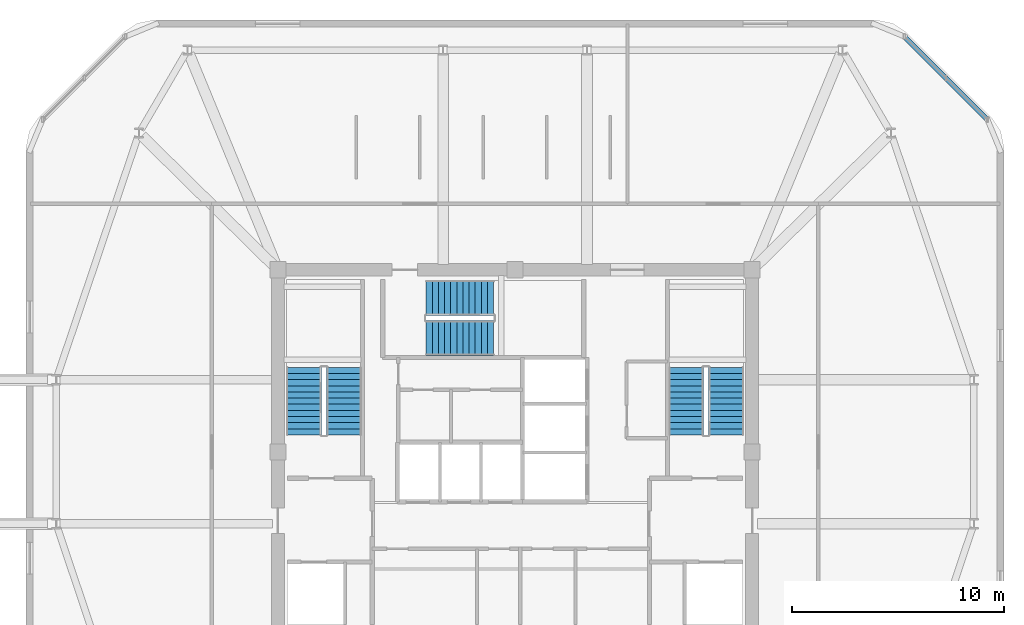
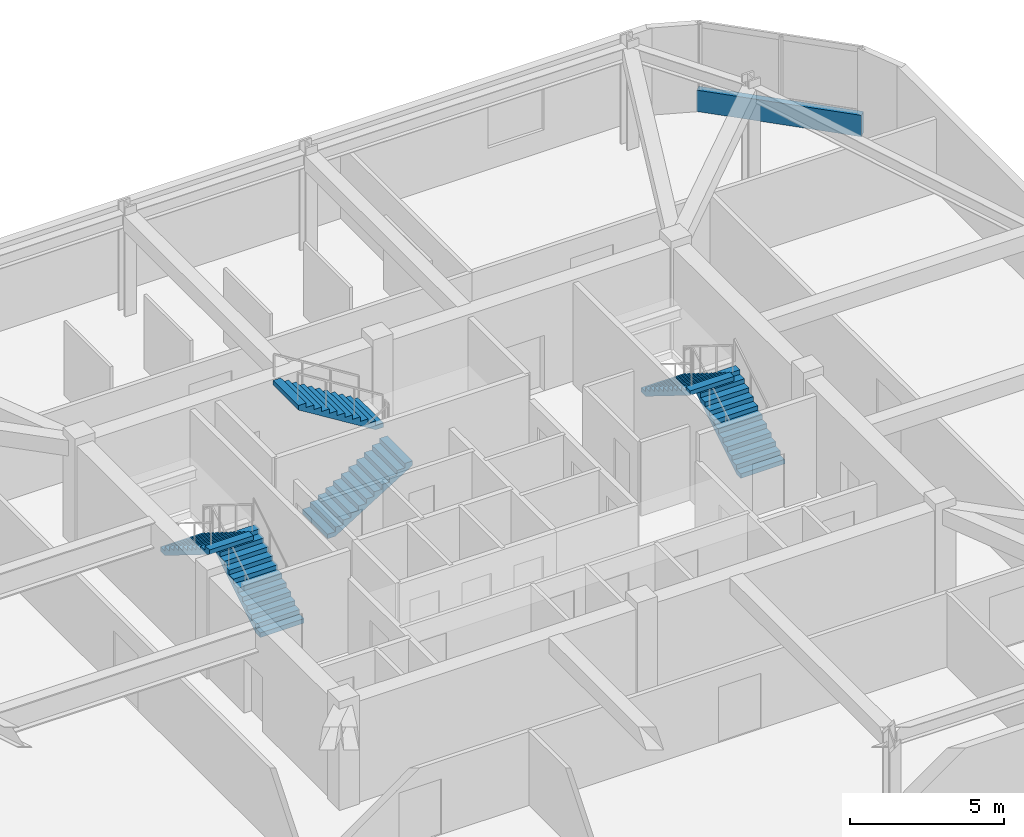
# One storey, part 8 of 9: 6 stair flights, 1 wall, 3 elements without a shape of their own.
"""IFC4 building model written with IfcOpenShell, lengths in metres."""

from ifc_helpers import new_model, si_unit, derived_unit, direction, frame, frame_2d, origin, place, context, subcontext, project, spatial, polyline, rectangle, outline, extrude, material, layer, layer_set, type_object, element, aggregate, save


model = new_model("IFC4")

# Units and contexts
model_context = context("Model", 3, precision=1e-05, world=origin(), true_north=direction((0.0, 1.0)))
body_context = subcontext(model_context, "Body", "Model", "MODEL_VIEW")
ifc_project = project(units=[si_unit("LENGTHUNIT", "METRE"), si_unit("AREAUNIT", "SQUARE_METRE"), si_unit("VOLUMEUNIT", "CUBIC_METRE"), si_unit("PLANEANGLEUNIT", "RADIAN"), si_unit("MASSUNIT", "GRAM", prefix="KILO"), derived_unit("THERMALTRANSMITTANCEUNIT", [(si_unit("POWERUNIT", "WATT"), 1), (si_unit("LENGTHUNIT", "METRE"), -2), (si_unit("THERMODYNAMICTEMPERATUREUNIT", "KELVIN"), -1)])], contexts=[model_context])

# Site, building, storey
site_placement = place(None, origin())
site = spatial("IfcSite", under=ifc_project, at=site_placement, CompositionType="ELEMENT")
building_placement = place(site_placement, origin())
building = spatial("IfcBuilding", under=site, at=building_placement, Name="Koralith Skygarden Medical Center", CompositionType="ELEMENT")
storey_placement = place(building_placement, frame((0.0, 0.0, 286.02001953125)))
storey = spatial("IfcBuildingStorey", under=building, at=storey_placement, Name="L74", CompositionType="ELEMENT", Elevation=286.02001953125)

# Wall
ifc_material_1 = material(Name="Warm Oolitic Limestone Cladding", Category="masonry")
ifc_layer = layer(ifc_material_1, 0.239990234375)
ifc_layer_set = layer_set([ifc_layer], Name="Warm Oolitic Limestone Cladding")
wall_type = type_object("IfcWallType", Name="Limestone Spandrel Sill Backup Wall 240", PredefinedType="SOLIDWALL", material=ifc_layer_set)
wall_placement = place(storey_placement, frame((59.319091796875, 41.595947265625, 0.0), z_axis=(0.0, 0.0, 1.0), x_axis=(-0.707106781187, 0.707106781187, 0.0)))
element("IfcWall", 1, at=wall_placement, inside=storey, type_object=wall_type, Name="L74 Sill Spandrel NE", PredefinedType="SOLIDWALL", context=body_context, shape_type="SweptSolid", body=[
    extrude(rectangle(XDim=5.548095703125, YDim=0.239990234375, at=frame_2d((2.77392578125, 0.0))), origin(), (0.0, 0.0, 1.0), 0.85009765625),
])

# Stair, stair flights
ifc_material_2 = material(Name="Concrete C45/55", Category="concrete")
stair_type = type_object("IfcStairType", Name="Core Exit Dogleg Concrete Stair", PredefinedType="HALF_TURN_STAIR", material=ifc_material_2)
stair_1_placement = place(storey_placement, origin())
stair_1 = element("IfcStair", 2, at=stair_1_placement, inside=storey, type_object=stair_type, Name="L74 Smokeproof Exit Stair ST1", PredefinedType="HALF_TURN_STAIR")
stair_flight_type = type_object("IfcStairFlightType", Name="Core Exit Concrete Stair Flight 1650", PredefinedType="STRAIGHT", material=ifc_material_2)
stair_flight_1_placement = place(storey_placement, frame((28.925048828125, 26.699951171875, 0.0), z_axis=(0.0, 0.0, 1.0), x_axis=(0.0, 1.0, 0.0)))
stair_flight_1 = element("IfcStairFlight", 3, at=stair_flight_1_placement, type_object=stair_flight_type, Name="ST1 flight 1", NumberOfRisers=12, NumberOfTreads=11, PredefinedType="STRAIGHT", RiserHeight=0.18, TreadLength=0.29, context=body_context, shape_type="SweptSolid", body=[
    extrude(outline(polyline([(0.0, 0.0), (0.0, 0.179931640625), (0.2900390625, 0.179931640625), (0.2900390625, 0.360107421875), (0.580078125, 0.360107421875), (0.580078125, 0.5400390625), (0.8701171875, 0.5400390625), (0.8701171875, 0.719970703125), (1.159912109375, 0.719970703125), (1.159912109375, 0.89990234375), (1.449951171875, 0.89990234375), (1.449951171875, 1.080078125), (1.739990234375, 1.080078125), (1.739990234375, 1.260009765625), (2.030029296875, 1.260009765625), (2.030029296875, 1.43994140625), (2.320068359375, 1.43994140625), (2.320068359375, 1.6201171875), (2.610107421875, 1.6201171875), (2.610107421875, 1.800048828125), (2.89990234375, 1.800048828125), (2.89990234375, 1.97998046875), (3.18994140625, 1.97998046875), (3.18994140625, 2.159912109375), (3.18994140625, 1.803466796875), (0.2841796875, 0.0), (0.0, 0.0)])), frame((0.0, 0.824951171875, 0.0), z_axis=(0.0, -1.0, 0.0), x_axis=(1.0, 0.0, 0.0)), (0.0, 0.0, 1.0), 1.64990234375),
])
stair_flight_2_placement = place(storey_placement, frame((27.02490234375, 29.889892578125, 2.159912109375), z_axis=(0.0, 0.0, 1.0), x_axis=(0.0, -1.0, 0.0)))
stair_flight_2 = element("IfcStairFlight", 4, at=stair_flight_2_placement, type_object=stair_flight_type, Name="ST1 flight 2", NumberOfRisers=12, NumberOfTreads=11, PredefinedType="STRAIGHT", RiserHeight=0.18, TreadLength=0.29, context=body_context, shape_type="SweptSolid", body=[
    extrude(outline(polyline([(0.0, 0.0), (0.0, 0.179931640625), (0.2900390625, 0.179931640625), (0.2900390625, 0.360107421875), (0.580078125, 0.360107421875), (0.580078125, 0.5400390625), (0.8701171875, 0.5400390625), (0.8701171875, 0.719970703125), (1.159912109375, 0.719970703125), (1.159912109375, 0.89990234375), (1.449951171875, 0.89990234375), (1.449951171875, 1.080078125), (1.739990234375, 1.080078125), (1.739990234375, 1.260009765625), (2.030029296875, 1.260009765625), (2.030029296875, 1.43994140625), (2.320068359375, 1.43994140625), (2.320068359375, 1.6201171875), (2.610107421875, 1.6201171875), (2.610107421875, 1.800048828125), (2.89990234375, 1.800048828125), (2.89990234375, 1.97998046875), (3.18994140625, 1.97998046875), (3.18994140625, 2.159912109375), (3.18994140625, 1.803466796875), (0.2841796875, 0.0), (0.0, 0.0)])), frame((0.0, 0.824951171875, 0.0), z_axis=(0.0, -1.0, 0.0), x_axis=(1.0, 0.0, 0.0)), (0.0, 0.0, 1.0), 1.64990234375),
])
aggregate(stair_1, [stair_flight_1, stair_flight_2])

stair_2_placement = place(storey_placement, origin())
stair_2 = element("IfcStair", 5, at=stair_2_placement, inside=storey, type_object=stair_type, Name="L74 Smokeproof Exit Stair ST2", PredefinedType="HALF_TURN_STAIR")
stair_flight_3_placement = place(storey_placement, frame((46.97509765625, 26.699951171875, 0.0), z_axis=(0.0, 0.0, 1.0), x_axis=(0.0, 1.0, 0.0)))
stair_flight_3 = element("IfcStairFlight", 6, at=stair_flight_3_placement, type_object=stair_flight_type, Name="ST2 flight 1", NumberOfRisers=12, NumberOfTreads=11, PredefinedType="STRAIGHT", RiserHeight=0.18, TreadLength=0.29, context=body_context, shape_type="SweptSolid", body=[
    extrude(outline(polyline([(0.0, 0.0), (0.0, 0.179931640625), (0.2900390625, 0.179931640625), (0.2900390625, 0.360107421875), (0.580078125, 0.360107421875), (0.580078125, 0.5400390625), (0.8701171875, 0.5400390625), (0.8701171875, 0.719970703125), (1.159912109375, 0.719970703125), (1.159912109375, 0.89990234375), (1.449951171875, 0.89990234375), (1.449951171875, 1.080078125), (1.739990234375, 1.080078125), (1.739990234375, 1.260009765625), (2.030029296875, 1.260009765625), (2.030029296875, 1.43994140625), (2.320068359375, 1.43994140625), (2.320068359375, 1.6201171875), (2.610107421875, 1.6201171875), (2.610107421875, 1.800048828125), (2.89990234375, 1.800048828125), (2.89990234375, 1.97998046875), (3.18994140625, 1.97998046875), (3.18994140625, 2.159912109375), (3.18994140625, 1.803466796875), (0.2841796875, 0.0), (0.0, 0.0)])), frame((0.0, 0.824951171875, 0.0), z_axis=(0.0, -1.0, 0.0), x_axis=(1.0, 0.0, 0.0)), (0.0, 0.0, 1.0), 1.64990234375),
])
stair_flight_4_placement = place(storey_placement, frame((45.074951171875, 29.889892578125, 2.159912109375), z_axis=(0.0, 0.0, 1.0), x_axis=(0.0, -1.0, 0.0)))
stair_flight_4 = element("IfcStairFlight", 7, at=stair_flight_4_placement, type_object=stair_flight_type, Name="ST2 flight 2", NumberOfRisers=12, NumberOfTreads=11, PredefinedType="STRAIGHT", RiserHeight=0.18, TreadLength=0.29, context=body_context, shape_type="SweptSolid", body=[
    extrude(outline(polyline([(0.0, 0.0), (0.0, 0.179931640625), (0.2900390625, 0.179931640625), (0.2900390625, 0.360107421875), (0.580078125, 0.360107421875), (0.580078125, 0.5400390625), (0.8701171875, 0.5400390625), (0.8701171875, 0.719970703125), (1.159912109375, 0.719970703125), (1.159912109375, 0.89990234375), (1.449951171875, 0.89990234375), (1.449951171875, 1.080078125), (1.739990234375, 1.080078125), (1.739990234375, 1.260009765625), (2.030029296875, 1.260009765625), (2.030029296875, 1.43994140625), (2.320068359375, 1.43994140625), (2.320068359375, 1.6201171875), (2.610107421875, 1.6201171875), (2.610107421875, 1.800048828125), (2.89990234375, 1.800048828125), (2.89990234375, 1.97998046875), (3.18994140625, 1.97998046875), (3.18994140625, 2.159912109375), (3.18994140625, 1.803466796875), (0.2841796875, 0.0), (0.0, 0.0)])), frame((0.0, 0.824951171875, 0.0), z_axis=(0.0, -1.0, 0.0), x_axis=(1.0, 0.0, 0.0)), (0.0, 0.0, 1.0), 1.64990234375),
])
aggregate(stair_2, [stair_flight_3, stair_flight_4])

stair_3_placement = place(storey_placement, origin())
stair_3 = element("IfcStair", 8, at=stair_3_placement, inside=storey, type_object=stair_type, Name="L74 Smokeproof Exit Stair ST3", PredefinedType="HALF_TURN_STAIR")
stair_flight_5_placement = place(storey_placement, frame((32.800048828125, 31.27490234375, 0.0), z_axis=(0.0, 0.0, 1.0), x_axis=(1.0, 0.0, 0.0)))
stair_flight_5 = element("IfcStairFlight", 9, at=stair_flight_5_placement, type_object=stair_flight_type, Name="ST3 flight 1", NumberOfRisers=12, NumberOfTreads=11, PredefinedType="STRAIGHT", RiserHeight=0.18, TreadLength=0.29, context=body_context, shape_type="SweptSolid", body=[
    extrude(outline(polyline([(0.0, 0.0), (0.0, 0.179931640625), (0.2900390625, 0.179931640625), (0.2900390625, 0.360107421875), (0.580078125, 0.360107421875), (0.580078125, 0.5400390625), (0.8701171875, 0.5400390625), (0.8701171875, 0.719970703125), (1.159912109375, 0.719970703125), (1.159912109375, 0.89990234375), (1.449951171875, 0.89990234375), (1.449951171875, 1.080078125), (1.739990234375, 1.080078125), (1.739990234375, 1.260009765625), (2.030029296875, 1.260009765625), (2.030029296875, 1.43994140625), (2.320068359375, 1.43994140625), (2.320068359375, 1.6201171875), (2.610107421875, 1.6201171875), (2.610107421875, 1.800048828125), (2.89990234375, 1.800048828125), (2.89990234375, 1.97998046875), (3.18994140625, 1.97998046875), (3.18994140625, 2.159912109375), (3.18994140625, 1.803466796875), (0.2841796875, 0.0), (0.0, 0.0)])), frame((0.0, 0.824951171875, 0.0), z_axis=(0.0, -1.0, 0.0), x_axis=(1.0, 0.0, 0.0)), (0.0, 0.0, 1.0), 1.64990234375),
])
stair_flight_6_placement = place(storey_placement, frame((35.989990234375, 33.175048828125, 2.159912109375), z_axis=(0.0, 0.0, 1.0), x_axis=(-1.0, 0.0, 0.0)))
stair_flight_6 = element("IfcStairFlight", 10, at=stair_flight_6_placement, type_object=stair_flight_type, Name="ST3 flight 2", NumberOfRisers=12, NumberOfTreads=11, PredefinedType="STRAIGHT", RiserHeight=0.18, TreadLength=0.29, context=body_context, shape_type="SweptSolid", body=[
    extrude(outline(polyline([(0.0, 0.0), (0.0, 0.179931640625), (0.2900390625, 0.179931640625), (0.2900390625, 0.360107421875), (0.580078125, 0.360107421875), (0.580078125, 0.5400390625), (0.8701171875, 0.5400390625), (0.8701171875, 0.719970703125), (1.159912109375, 0.719970703125), (1.159912109375, 0.89990234375), (1.449951171875, 0.89990234375), (1.449951171875, 1.080078125), (1.739990234375, 1.080078125), (1.739990234375, 1.260009765625), (2.030029296875, 1.260009765625), (2.030029296875, 1.43994140625), (2.320068359375, 1.43994140625), (2.320068359375, 1.6201171875), (2.610107421875, 1.6201171875), (2.610107421875, 1.800048828125), (2.89990234375, 1.800048828125), (2.89990234375, 1.97998046875), (3.18994140625, 1.97998046875), (3.18994140625, 2.159912109375), (3.18994140625, 1.803466796875), (0.2841796875, 0.0), (0.0, 0.0)])), frame((0.0, 0.824951171875, 0.0), z_axis=(0.0, -1.0, 0.0), x_axis=(1.0, 0.0, 0.0)), (0.0, 0.0, 1.0), 1.64990234375),
])
aggregate(stair_3, [stair_flight_5, stair_flight_6])

save(model, "model.ifc")
